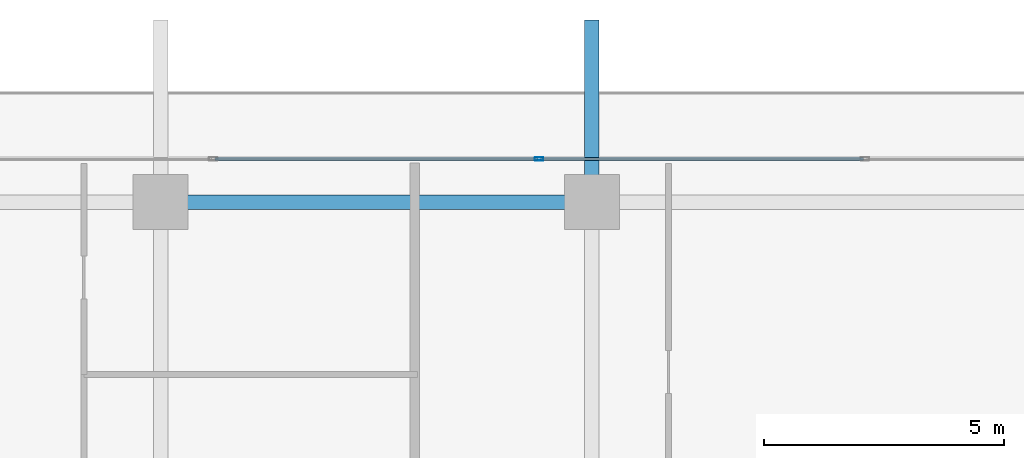
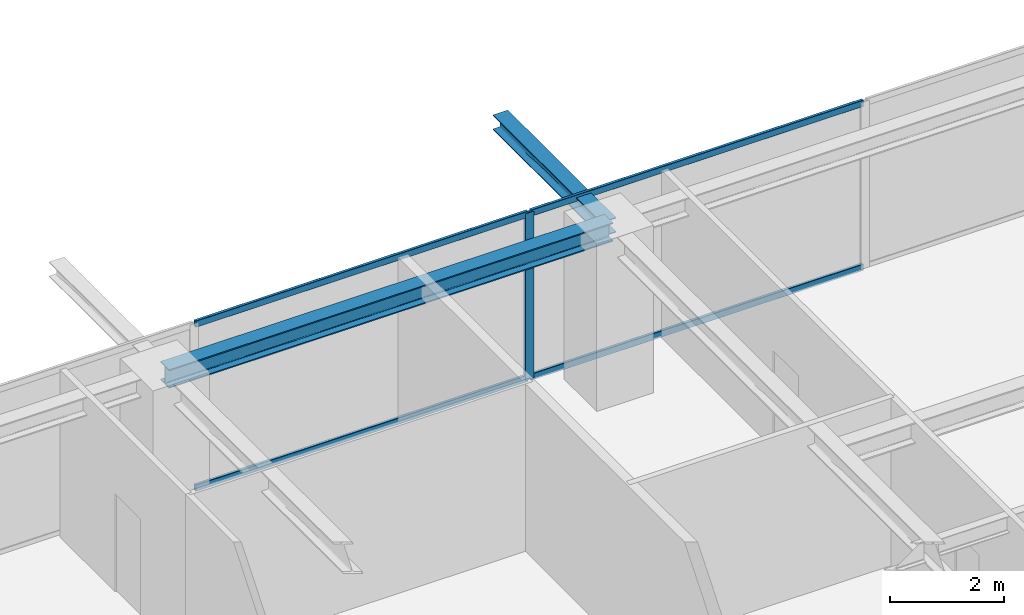
# One storey, part 21 of 37: 5 members, 2 beams, 1 element without a shape of its own.
"""IFC4 building model written with IfcOpenShell, lengths in metres."""

from ifc_helpers import new_model, si_unit, direction, frame, origin, origin_2d, place, context, subcontext, project, spatial, hollow_rectangle, i_section, extrude, source, transform, mapped, material, layer, layer_set, material_profile, profile_set, type_object, element, aggregate, save


model = new_model("IFC4")

# Units and contexts
model_context = context("Model", 3, precision=1e-05, world=origin(), true_north=direction((0.0, 1.0)))
body_context = subcontext(model_context, "Body", "Model", "MODEL_VIEW")
ifc_project = project(units=[si_unit("LENGTHUNIT", "METRE"), si_unit("AREAUNIT", "SQUARE_METRE"), si_unit("VOLUMEUNIT", "CUBIC_METRE"), si_unit("PLANEANGLEUNIT", "RADIAN"), si_unit("MASSUNIT", "GRAM", prefix="KILO")], contexts=[model_context])

# Site, building, storey
site_placement = place(None, origin())
site = spatial("IfcSite", under=ifc_project, at=site_placement, CompositionType="ELEMENT")
building_placement = place(site_placement, origin())
building = spatial("IfcBuilding", under=site, at=building_placement, Name="Serunith Strait Residences", CompositionType="ELEMENT")
storey_placement = place(building_placement, frame((0.0, 0.0, 275.89990234375)))
storey = spatial("IfcBuildingStorey", under=building, at=storey_placement, Name="L69", CompositionType="ELEMENT", Elevation=275.89990234375)

# Beams
ifc_material_1 = material(Name="Steel S355J2", Category="steel")
ifc_material_profile_1 = material_profile(ifc_material_1, i_section(OverallWidth=0.300048828125, OverallDepth=0.39990234375, WebThickness=0.013427734375, FlangeThickness=0.02392578125, FilletRadius=0.027099609375, at=origin_2d()), Name="HEB 400")
ifc_profile_set_1 = profile_set([ifc_material_profile_1], Name="Steel S355J2")
beam_type_1 = type_object("IfcBeamType", Name="BM-HEB400", PredefinedType="BEAM", material=ifc_profile_set_1)
shared_shape_1 = source(origin(), body_context, "Body", "SweptSolid", [
    extrude(i_section(OverallWidth=0.300048828125, OverallDepth=0.39990234375, WebThickness=0.013427734375, FlangeThickness=0.02392578125, FilletRadius=0.027099609375, at=origin_2d()), origin(), (0.0, 0.0, 1.0), 9.0),
])
beam_1_placement = place(storey_placement, frame((36.89990234375, 48.300048828125, 3.38720703125), z_axis=(-1.0, 0.0, 0.0), x_axis=(0.0, -1.0, 0.0)))
element("IfcBeam", 1, at=beam_1_placement, inside=storey, type_object=beam_type_1, Name="L69 Perimeter Ring Beam 10", PredefinedType="BEAM", context=body_context, shape_type="MappedRepresentation", body=[
    mapped(shared_shape_1, transform((0.0, 0.0, 0.0), scale=1.0)),
])
ifc_material_profile_2 = material_profile(ifc_material_1, i_section(OverallWidth=0.300048828125, OverallDepth=0.320068359375, WebThickness=0.011474609375, FlangeThickness=0.0205078125, FilletRadius=0.027099609375, at=origin_2d()), Name="HEB 320")
ifc_profile_set_2 = profile_set([ifc_material_profile_2], Name="Steel S355J2")
beam_type_2 = type_object("IfcBeamType", Name="BM-HEB320", PredefinedType="BEAM", material=ifc_profile_set_2)
shared_shape_2 = source(origin(), body_context, "Body", "SweptSolid", [
    extrude(i_section(OverallWidth=0.300048828125, OverallDepth=0.320068359375, WebThickness=0.011474609375, FlangeThickness=0.0205078125, FilletRadius=0.027099609375, at=origin_2d()), origin(), (0.0, 0.0, 1.0), 3.800048828125),
])
beam_2_placement = place(storey_placement, frame((36.89990234375, 48.300048828125, 3.397216796875), z_axis=(0.0, 1.0, 0.0), x_axis=(-1.0, 0.0, 0.0)))
element("IfcBeam", 2, at=beam_2_placement, inside=storey, type_object=beam_type_2, Name="L70 Cantilevered Balcony Rib TC-N3", PredefinedType="BEAM", context=body_context, shape_type="MappedRepresentation", body=[
    mapped(shared_shape_2, transform((0.0, 0.0, 0.0), scale=1.0)),
])

# Curtain wall, members
ifc_material_2 = material(Name="Pale-Champagne Anodised Aluminium", Category="aluminium")
ifc_layer = layer(ifc_material_2, 0.199951171875, Name="Pale-Champagne Anodised Aluminium")
ifc_layer_set = layer_set([ifc_layer], Name="Pale-Champagne Anodised Aluminium")
curtain_wall_type = type_object("IfcCurtainWallType", Name="CW-SYS4", PredefinedType="NOTDEFINED", material=ifc_layer_set)
curtain_wall_placement = place(storey_placement, origin())
curtain_wall = element("IfcCurtainWall", 3, at=curtain_wall_placement, inside=storey, type_object=curtain_wall_type, Name="L69 N Unitised Fritted Curtain Wall", PredefinedType="NOTDEFINED")
ifc_material_profile_3 = material_profile(ifc_material_2, hollow_rectangle(XDim=0.06005859375, YDim=0.139892578125, WallThickness=0.00341796875, InnerFilletRadius=0.00537109375, OuterFilletRadius=0.0087890625, at=origin_2d()), Name="ALU 140x60x3.5")
ifc_profile_set_3 = profile_set([ifc_material_profile_3], Name="Pale-Champagne Anodised Aluminium")
member_type_1 = type_object("IfcMemberType", Name="CW-SYS4-TRAN", PredefinedType="USERDEFINED", material=ifc_profile_set_3)
shared_shape_3 = source(origin(), body_context, "Body", "SweptSolid", [
    extrude(hollow_rectangle(XDim=0.06005859375, YDim=0.139892578125, WallThickness=0.00341796875, InnerFilletRadius=0.00537109375, OuterFilletRadius=0.0087890625, at=origin_2d()), origin(), (0.0, 0.0, 1.0), 6.73486328125),
])
member_1_placement = place(storey_placement, frame((42.5673828125, 49.199951171875, 0.030029296875), z_axis=(-1.0, 0.0, 0.0), x_axis=(0.0, -1.0, 0.0)))
member_1 = element("IfcMember", 4, at=member_1_placement, type_object=member_type_1, Name="CW-4 transom 2.1", ObjectType="TRANSOM", PredefinedType="USERDEFINED", context=body_context, shape_type="MappedRepresentation", body=[
    mapped(shared_shape_3, transform((0.0, 0.0, 0.0), scale=1.0)),
])
member_2_placement = place(storey_placement, frame((42.5673828125, 49.199951171875, 3.545166015625), z_axis=(-1.0, 0.0, 0.0), x_axis=(0.0, -1.0, 0.0)))
member_2 = element("IfcMember", 5, at=member_2_placement, type_object=member_type_1, Name="CW-4 transom 2.2", ObjectType="TRANSOM", PredefinedType="USERDEFINED", context=body_context, shape_type="MappedRepresentation", body=[
    mapped(shared_shape_3, transform((0.0, 0.0, 0.0), scale=1.0)),
])
shared_shape_4 = source(origin(), body_context, "Body", "SweptSolid", [
    extrude(hollow_rectangle(XDim=0.06005859375, YDim=0.139892578125, WallThickness=0.00341796875, InnerFilletRadius=0.00537109375, OuterFilletRadius=0.0087890625, at=origin_2d()), origin(), (0.0, 0.0, 1.0), 6.735107421875),
])
member_3_placement = place(storey_placement, frame((35.767578125, 49.199951171875, 0.030029296875), z_axis=(-1.0, 0.0, 0.0), x_axis=(0.0, -1.0, 0.0)))
member_3 = element("IfcMember", 6, at=member_3_placement, type_object=member_type_1, Name="CW-4 transom 3.1", ObjectType="TRANSOM", PredefinedType="USERDEFINED", context=body_context, shape_type="MappedRepresentation", body=[
    mapped(shared_shape_4, transform((0.0, 0.0, 0.0), scale=1.0)),
])
member_4_placement = place(storey_placement, frame((35.767578125, 49.199951171875, 3.545166015625), z_axis=(-1.0, 0.0, 0.0), x_axis=(0.0, -1.0, 0.0)))
member_4 = element("IfcMember", 7, at=member_4_placement, type_object=member_type_1, Name="CW-4 transom 3.2", ObjectType="TRANSOM", PredefinedType="USERDEFINED", context=body_context, shape_type="MappedRepresentation", body=[
    mapped(shared_shape_4, transform((0.0, 0.0, 0.0), scale=1.0)),
])
ifc_material_profile_4 = material_profile(ifc_material_2, hollow_rectangle(XDim=0.06494140625, YDim=0.179931640625, WallThickness=0.00341796875, InnerFilletRadius=0.00537109375, OuterFilletRadius=0.0087890625, at=origin_2d()), Name="ALU 180x65x3.5")
ifc_profile_set_4 = profile_set([ifc_material_profile_4], Name="Pale-Champagne Anodised Aluminium")
member_type_2 = type_object("IfcMemberType", Name="CW-SYS4-MULL", PredefinedType="MULLION", material=ifc_profile_set_4)
shared_shape_5 = source(origin(), body_context, "Body", "SweptSolid", [
    extrude(hollow_rectangle(XDim=0.06494140625, YDim=0.179931640625, WallThickness=0.00341796875, InnerFilletRadius=0.00537109375, OuterFilletRadius=0.0087890625, at=origin_2d()), origin(), (0.0, 0.0, 1.0), 3.5751953125),
])
member_5_placement = place(storey_placement, frame((35.800048828125, 49.199951171875, 0.0), z_axis=(0.0, 0.0, 1.0), x_axis=(0.0, -1.0, 0.0)))
member_5 = element("IfcMember", 8, at=member_5_placement, type_object=member_type_2, Name="CW-4 mullion 3", PredefinedType="MULLION", context=body_context, shape_type="MappedRepresentation", body=[
    mapped(shared_shape_5, transform((0.0, 0.0, 0.0), scale=1.0)),
])
aggregate(curtain_wall, [member_5, member_1, member_2, member_3, member_4])

save(model, "model.ifc")
